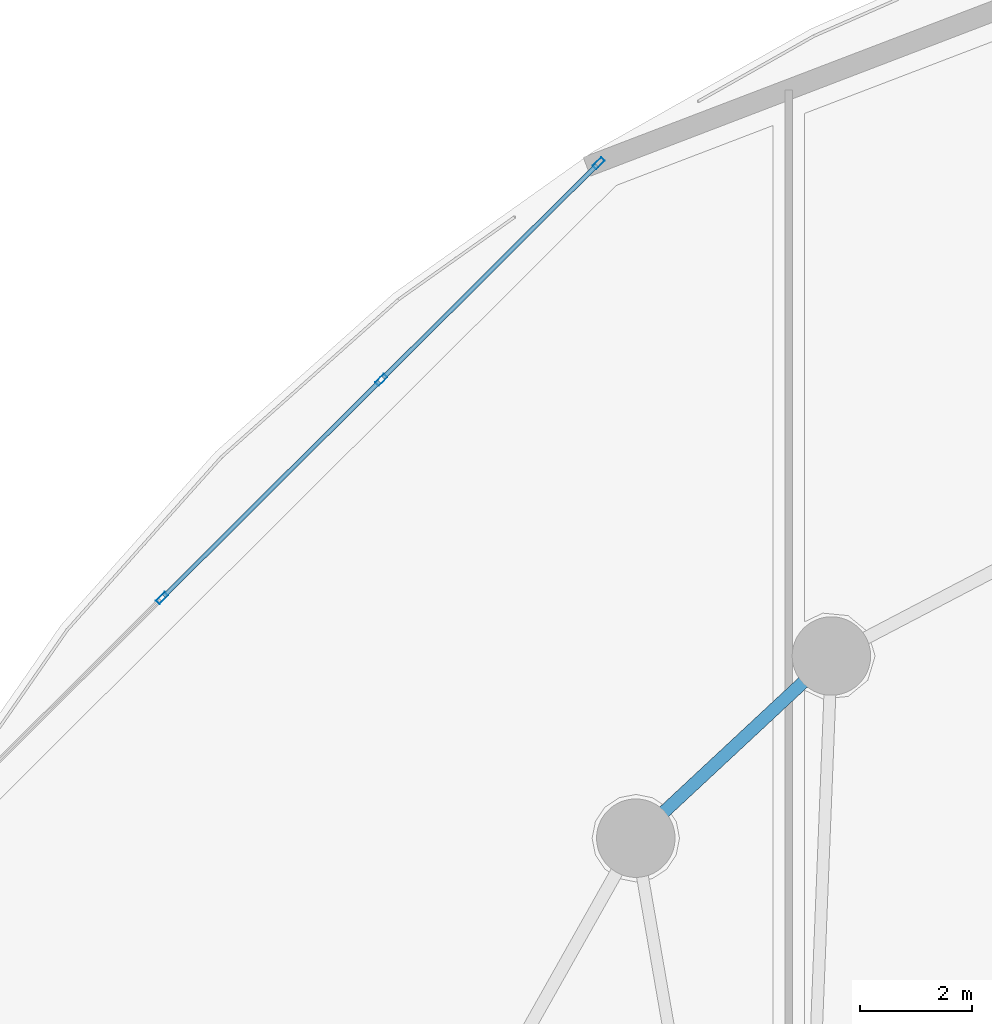
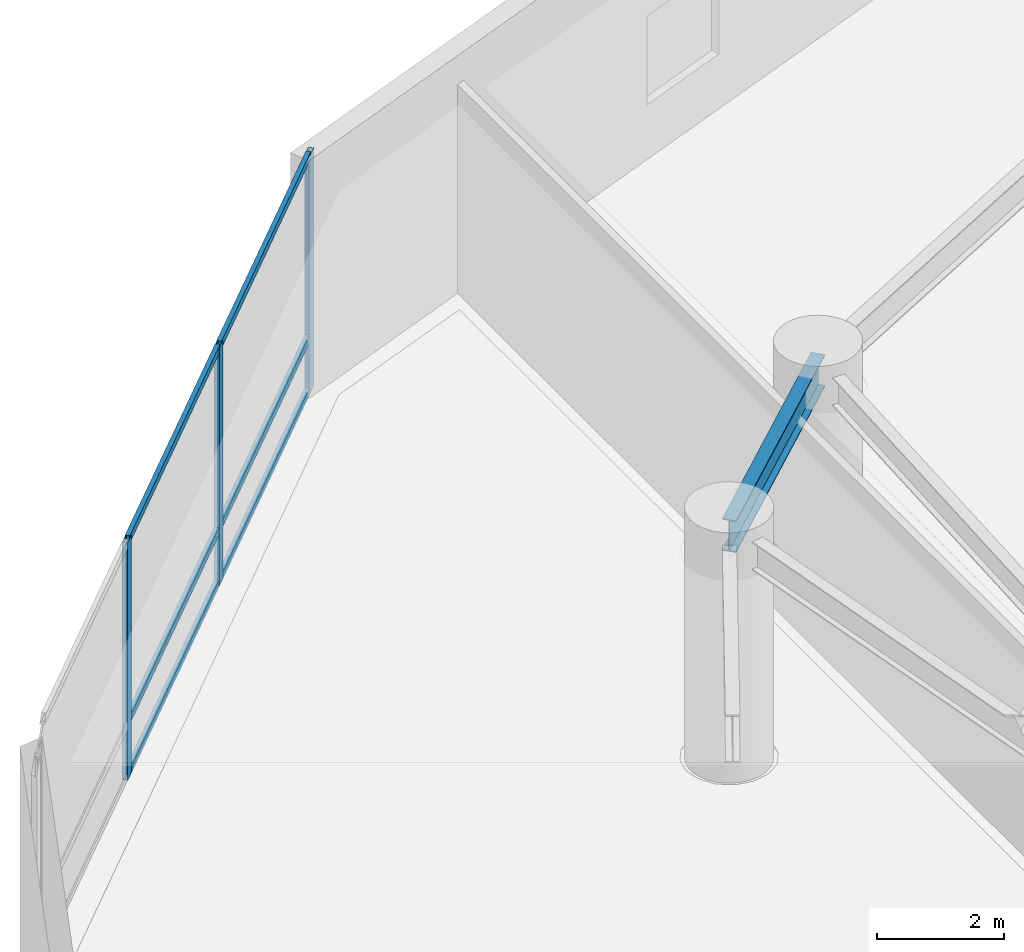
# One storey, part 8 of 26: 9 members, 1 beam, 1 element without a shape of its own.
"""IFC4 building model written with IfcOpenShell, lengths in metres."""

from ifc_helpers import new_model, si_unit, direction, frame, origin, origin_2d, place, context, subcontext, project, spatial, hollow_rectangle, i_section, extrude, material, layer, layer_set, material_profile, profile_set, type_object, element, aggregate, save


model = new_model("IFC4")

# Units and contexts
model_context = context("Model", 3, precision=1e-05, world=origin(), true_north=direction((0.0, 1.0)))
body_context = subcontext(model_context, "Body", "Model", "MODEL_VIEW")
ifc_project = project(units=[si_unit("LENGTHUNIT", "METRE"), si_unit("AREAUNIT", "SQUARE_METRE"), si_unit("VOLUMEUNIT", "CUBIC_METRE"), si_unit("PLANEANGLEUNIT", "RADIAN"), si_unit("MASSUNIT", "GRAM", prefix="KILO")], contexts=[model_context])

# Site, building, storey
site_placement = place(None, origin())
site = spatial("IfcSite", under=ifc_project, at=site_placement, CompositionType="ELEMENT")
building_placement = place(site_placement, origin())
building = spatial("IfcBuilding", under=site, at=building_placement, Name="Kazevale Care Tower and Concert Hall", CompositionType="ELEMENT")
storey_placement = place(building_placement, frame((0.0, 0.0, 19.199951171875)))
storey = spatial("IfcBuildingStorey", under=building, at=storey_placement, Name="L04", CompositionType="ELEMENT", Elevation=19.199951171875)

# Curtain wall, members
ifc_material_1 = material(Name="Aluminium 6063-T6 and Low-E Glass", Category="aluminium")
ifc_layer = layer(ifc_material_1, 0.179931640625)
ifc_layer_set = layer_set([ifc_layer], Name="Aluminium 6063-T6 and Low-E Glass")
curtain_wall_type = type_object("IfcCurtainWallType", Name="Podium Double-Skin Medical Curtain Wall CW-1", PredefinedType="NOTDEFINED", material=ifc_layer_set)
curtain_wall_placement = place(storey_placement, origin())
curtain_wall = element("IfcCurtainWall", 1, at=curtain_wall_placement, inside=storey, type_object=curtain_wall_type, Name="cw:L04:pod:06", PredefinedType="NOTDEFINED")
ifc_material_2 = material(Name="Aluminium 6063-T6", Category="aluminium")
ifc_material_profile_1 = material_profile(ifc_material_2, hollow_rectangle(XDim=0.090087890625, YDim=0.219970703125, WallThickness=0.0048828125, at=origin_2d()), Name="ALU90x220x5")
ifc_profile_set_1 = profile_set([ifc_material_profile_1], Name="Aluminium 6063-T6")
member_type_1 = type_object("IfcMemberType", Name="CW-1 Mullion ALU90x220x5", PredefinedType="MULLION", material=ifc_profile_set_1)
member_1_placement = place(storey_placement, frame((18.607177734375, 64.22216796875, 0.0), z_axis=(0.0, 0.0, 1.0), x_axis=(0.705655814257, -0.708554776856, 0.0)))
member_1 = element("IfcMember", 2, at=member_1_placement, type_object=member_type_1, Name="CW-1 mullion 1", PredefinedType="MULLION", context=body_context, shape_type="SweptSolid", body=[
    extrude(hollow_rectangle(XDim=0.090087890625, YDim=0.219970703125, WallThickness=0.0048828125, at=origin_2d()), origin(), (0.0, 0.0, 1.0), 4.56005859375),
])
member_2_placement = place(storey_placement, frame((14.728271484375, 60.359375, 0.0), z_axis=(0.0, 0.0, 1.0), x_axis=(0.705655814257, -0.708554776856, 0.0)))
member_2 = element("IfcMember", 3, at=member_2_placement, type_object=member_type_1, Name="CW-1 mullion 2", PredefinedType="MULLION", context=body_context, shape_type="SweptSolid", body=[
    extrude(hollow_rectangle(XDim=0.090087890625, YDim=0.219970703125, WallThickness=0.0048828125, at=origin_2d()), origin(), (0.0, 0.0, 1.0), 4.56005859375),
])
member_3_placement = place(storey_placement, frame((10.817626953125, 56.464599609375, 0.0), z_axis=(0.0, 0.0, 1.0), x_axis=(0.705655814257, -0.708554776856, 0.0)))
member_3 = element("IfcMember", 4, at=member_3_placement, type_object=member_type_1, Name="CW-1 mullion 3", PredefinedType="MULLION", context=body_context, shape_type="SweptSolid", body=[
    extrude(hollow_rectangle(XDim=0.090087890625, YDim=0.219970703125, WallThickness=0.0048828125, at=origin_2d()), origin(), (0.0, 0.0, 1.0), 4.56005859375),
])
ifc_material_profile_2 = material_profile(ifc_material_2, hollow_rectangle(XDim=0.080078125, YDim=0.139892578125, WallThickness=0.00390625, at=origin_2d()), Name="ALU80x140x4")
ifc_profile_set_2 = profile_set([ifc_material_profile_2], Name="Aluminium 6063-T6")
member_type_2 = type_object("IfcMemberType", Name="CW-1 Transom ALU80x140x4", PredefinedType="USERDEFINED", material=ifc_profile_set_2)
member_4_placement = place(storey_placement, frame((18.5751953125, 64.1904296875, 0.0400390625), z_axis=(-0.708556322862, -0.705654261896, 0.0), x_axis=(0.705654261896, -0.708556322862, 0.0)))
member_4 = element("IfcMember", 5, at=member_4_placement, type_object=member_type_2, Name="CW-1 transom 1.1", ObjectType="TRANSOM", PredefinedType="USERDEFINED", context=body_context, shape_type="SweptSolid", body=[
    extrude(hollow_rectangle(XDim=0.080078125, YDim=0.139892578125, WallThickness=0.00390625, at=origin_2d()), origin(), (0.0, 0.0, 1.0), 5.384033203125),
])
member_5_placement = place(storey_placement, frame((18.5751953125, 64.1904296875, 1.050048828125), z_axis=(-0.708556322862, -0.705654261896, 0.0), x_axis=(0.705654261896, -0.708556322862, 0.0)))
member_5 = element("IfcMember", 6, at=member_5_placement, type_object=member_type_2, Name="CW-1 transom 1.2", ObjectType="TRANSOM", PredefinedType="USERDEFINED", context=body_context, shape_type="SweptSolid", body=[
    extrude(hollow_rectangle(XDim=0.080078125, YDim=0.139892578125, WallThickness=0.00390625, at=origin_2d()), origin(), (0.0, 0.0, 1.0), 5.384033203125),
])
member_6_placement = place(storey_placement, frame((18.5751953125, 64.1904296875, 4.52001953125), z_axis=(-0.708556322862, -0.705654261896, 0.0), x_axis=(0.705654261896, -0.708556322862, 0.0)))
member_6 = element("IfcMember", 7, at=member_6_placement, type_object=member_type_2, Name="CW-1 transom 1.3", ObjectType="TRANSOM", PredefinedType="USERDEFINED", context=body_context, shape_type="SweptSolid", body=[
    extrude(hollow_rectangle(XDim=0.080078125, YDim=0.139892578125, WallThickness=0.00390625, at=origin_2d()), origin(), (0.0, 0.0, 1.0), 5.384033203125),
])
member_7_placement = place(storey_placement, frame((14.696533203125, 60.32763671875, 0.0400390625), z_axis=(-0.708544259539, -0.705666374624, 0.0), x_axis=(0.705666374624, -0.708544259539, 0.0)))
member_7 = element("IfcMember", 8, at=member_7_placement, type_object=member_type_2, Name="CW-1 transom 2.1", ObjectType="TRANSOM", PredefinedType="USERDEFINED", context=body_context, shape_type="SweptSolid", body=[
    extrude(hollow_rectangle(XDim=0.080078125, YDim=0.139892578125, WallThickness=0.00390625, at=origin_2d()), origin(), (0.0, 0.0, 1.0), 5.429443359375),
])
member_8_placement = place(storey_placement, frame((14.696533203125, 60.32763671875, 1.050048828125), z_axis=(-0.708544259539, -0.705666374624, 0.0), x_axis=(0.705666374624, -0.708544259539, 0.0)))
member_8 = element("IfcMember", 9, at=member_8_placement, type_object=member_type_2, Name="CW-1 transom 2.2", ObjectType="TRANSOM", PredefinedType="USERDEFINED", context=body_context, shape_type="SweptSolid", body=[
    extrude(hollow_rectangle(XDim=0.080078125, YDim=0.139892578125, WallThickness=0.00390625, at=origin_2d()), origin(), (0.0, 0.0, 1.0), 5.429443359375),
])
member_9_placement = place(storey_placement, frame((14.696533203125, 60.32763671875, 4.52001953125), z_axis=(-0.708544259539, -0.705666374624, 0.0), x_axis=(0.705666374624, -0.708544259539, 0.0)))
member_9 = element("IfcMember", 10, at=member_9_placement, type_object=member_type_2, Name="CW-1 transom 2.3", ObjectType="TRANSOM", PredefinedType="USERDEFINED", context=body_context, shape_type="SweptSolid", body=[
    extrude(hollow_rectangle(XDim=0.080078125, YDim=0.139892578125, WallThickness=0.00390625, at=origin_2d()), origin(), (0.0, 0.0, 1.0), 5.429443359375),
])
aggregate(curtain_wall, [member_1, member_2, member_3, member_4, member_5, member_6, member_7, member_8, member_9])

# Beam
ifc_material_3 = material(Name="Steel ASTM A572 Gr 50", Category="steel")
ifc_material_profile_3 = material_profile(ifc_material_3, i_section(OverallWidth=0.22900390625, OverallDepth=0.612060546875, WebThickness=0.011962890625, FlangeThickness=0.01953125, at=origin_2d()), Name="W610x125")
ifc_profile_set_3 = profile_set([ifc_material_profile_3], Name="Steel ASTM A572 Gr 50")
beam_type = type_object("IfcBeamType", Name="Ring Spandrel Beam W610x125", PredefinedType="SPANDREL", material=ifc_profile_set_3)
beam_placement = place(storey_placement, frame((22.760009765625, 55.429931640625, 4.254150390625), z_axis=(-0.731820896228, -0.681497010884, 0.0), x_axis=(0.681497010884, -0.731820896228, 0.0)))
element("IfcBeam", 11, at=beam_placement, inside=storey, type_object=beam_type, Name="beam:L04:ring:07", PredefinedType="SPANDREL", context=body_context, shape_type="SweptSolid", body=[
    extrude(i_section(OverallWidth=0.22900390625, OverallDepth=0.612060546875, WebThickness=0.011962890625, FlangeThickness=0.01953125, at=origin_2d()), origin(), (0.0, 0.0, 1.0), 4.768798828125),
])

save(model, "model.ifc")
